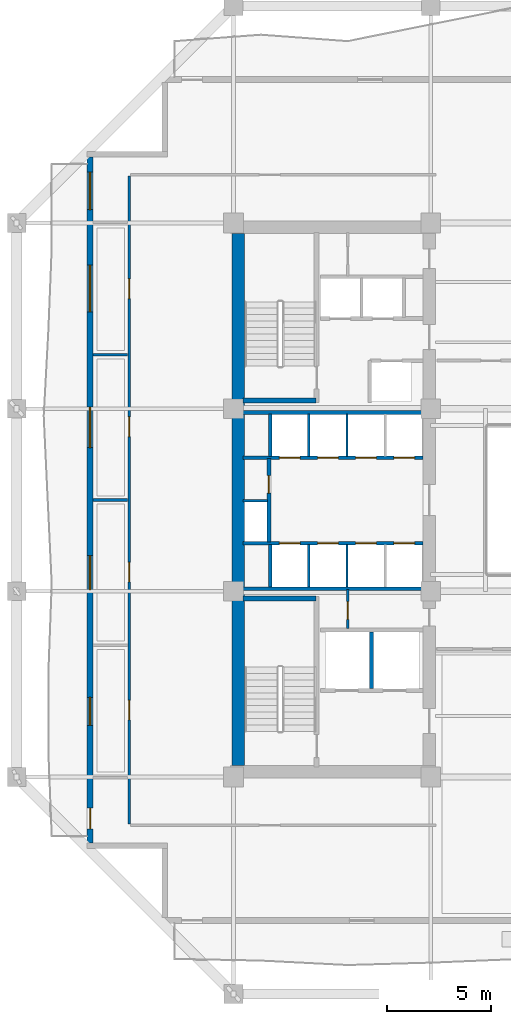
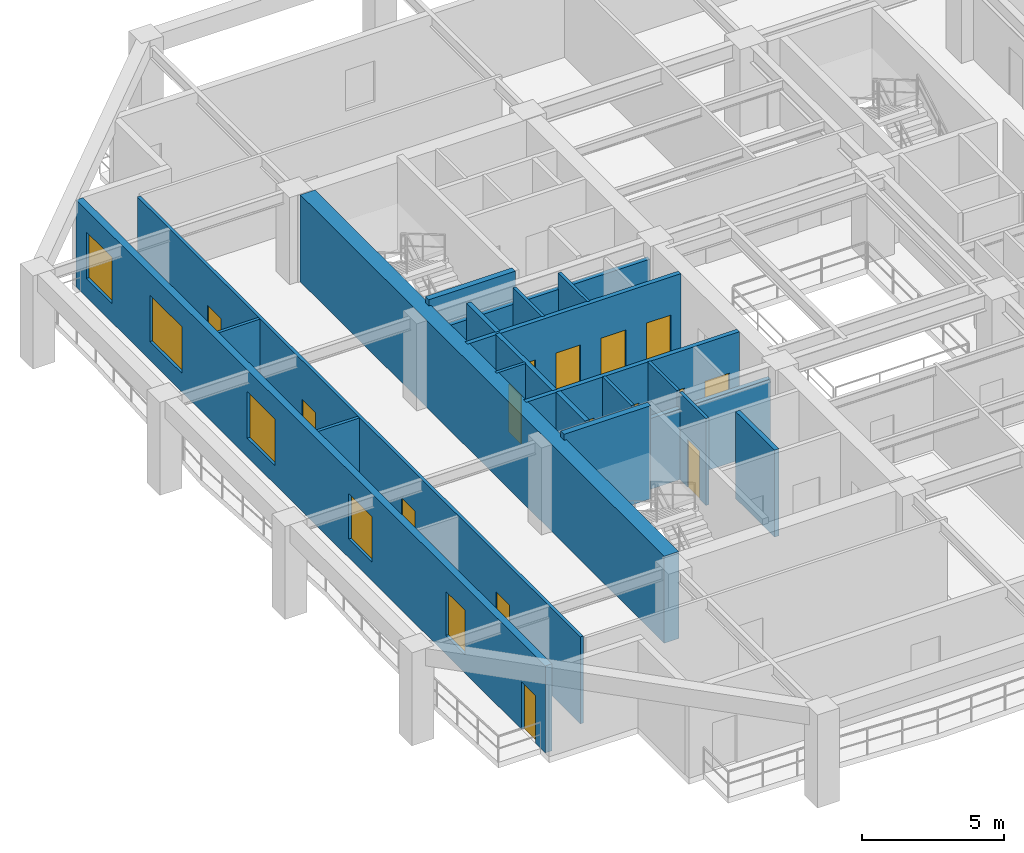
# One storey, part 3 of 11: 21 walls, 15 doors, 5 windows, 20 openings.
"""IFC4 building model written with IfcOpenShell, lengths in metres."""

from ifc_helpers import new_model, si_unit, direction, frame, frame_2d, origin, place, context, subcontext, project, spatial, rectangle, extrude, material, layer, layer_set, type_object, element, fill, save


model = new_model("IFC4")

# Units and contexts
model_context = context("Model", 3, precision=1e-05, world=origin(), true_north=direction((0.0, 1.0)))
body_context = subcontext(model_context, "Body", "Model", "MODEL_VIEW")
ifc_project = project(units=[si_unit("LENGTHUNIT", "METRE"), si_unit("AREAUNIT", "SQUARE_METRE"), si_unit("VOLUMEUNIT", "CUBIC_METRE"), si_unit("PLANEANGLEUNIT", "RADIAN"), si_unit("MASSUNIT", "GRAM", prefix="KILO")], contexts=[model_context])

# Site, building, storey
site_placement = place(None, origin())
site = spatial("IfcSite", under=ifc_project, at=site_placement, CompositionType="ELEMENT")
building_placement = place(site_placement, origin())
building = spatial("IfcBuilding", under=site, at=building_placement, Name="Kundavana Baori Tower", CompositionType="ELEMENT")
storey_placement = place(building_placement, frame((0.0, 0.0, 86.0)))
storey = spatial("IfcBuildingStorey", under=building, at=storey_placement, Name="L20", CompositionType="ELEMENT", Elevation=86.0)

# Walls
ifc_material_1 = material(Name="Concrete C50/60", Category="concrete")
ifc_layer_1 = layer(ifc_material_1, 0.39990234375, Name="WL-CORE-400")
ifc_layer_set_1 = layer_set([ifc_layer_1], Name="Concrete C50/60")
wall_type_1 = type_object("IfcWallType", Name="WL-CORE-400", PredefinedType="SHEAR", material=ifc_layer_set_1)
for number, where, z_axis, x_axis, name in (
    (1, (15.89990234375, 23.860107421875, 0.0), (0.0, 0.0, 1.0), (1.0, 0.0, 0.0), "WL-L20-ST1-N"),
    (2, (15.89990234375, 33.389892578125, 0.0), (0.0, 0.0, 1.0), (1.0, 0.0, 0.0), "WL-L20-ST2-S"),
):
    element("IfcWall", number, at=place(storey_placement, frame(where, z_axis=z_axis, x_axis=x_axis)), inside=storey, type_object=wall_type_1, Name=name, PredefinedType="SHEAR", context=body_context, shape_type="SweptSolid", body=[
        extrude(rectangle(XDim=3.52001953125, YDim=0.239990234375, at=frame_2d((1.760009765625, 0.0))), origin(), (0.0, 0.0, 1.0), 4.0),
    ])
ifc_material_2 = material(Name="Concrete C60/75", Category="concrete")
ifc_layer_2 = layer(ifc_material_2, 0.60009765625, Name="WL-CORE-600")
ifc_layer_set_2 = layer_set([ifc_layer_2], Name="Concrete C60/75")
wall_type_2 = type_object("IfcWallType", Name="WL-CORE-600", PredefinedType="SHEAR", material=ifc_layer_set_2)
wall_1_placement = place(storey_placement, frame((15.68994140625, 15.81005859375, 0.0), z_axis=(0.0, 0.0, 1.0), x_axis=(0.0, 1.0, 0.0)))
element("IfcWall", 3, at=wall_1_placement, inside=storey, type_object=wall_type_2, Name="L20 Offset Core West Shear Wall", PredefinedType="SHEAR", context=body_context, shape_type="SweptSolid", body=[
    extrude(rectangle(XDim=25.6298828125, YDim=0.60009765625, at=frame_2d((12.81494140625, 0.0))), origin(), (0.0, 0.0, 1.0), 3.739990234375),
])

# Wall, openings, door, windows
ifc_material_3 = material(Name="Red-Buff Dholpur Sandstone Cladding on Concrete C40/50", Category="masonry")
ifc_layer_3 = layer(ifc_material_3, 0.280029296875, Name="WL-EXT-SAND-280")
ifc_layer_set_3 = layer_set([ifc_layer_3], Name="Red-Buff Dholpur Sandstone Cladding on Concrete C40/50")
wall_type_3 = type_object("IfcWallType", Name="WL-EXT-SAND-280", PredefinedType="STANDARD", material=ifc_layer_set_3)
wall_2_placement = place(storey_placement, frame((8.5400390625, 45.1201171875, 0.0), z_axis=(0.0, 0.0, 1.0), x_axis=(0.0, -1.0, 0.0)))
wall_2 = element("IfcWall", 4, at=wall_2_placement, inside=storey, type_object=wall_type_3, Name="L20 Exterior Insulated Facade Wall 10", PredefinedType="STANDARD", context=body_context, shape_type="SweptSolid", body=[
    extrude(rectangle(XDim=33.0400390625, YDim=0.280029296875, at=frame_2d((16.52001953125, 0.0))), origin(), (0.0, 0.0, 1.0), 3.739990234375),
])
opening_1_placement = place(wall_2_placement, frame((31.3701171875, 0.0, 0.0)))
opening_1 = element("IfcOpeningElement", 5, at=opening_1_placement, cuts=wall_2, Name="Opening BD-1", PredefinedType="OPENING", context=body_context, shape_type="SweptSolid", body=[
    extrude(rectangle(XDim=1.0, YDim=2.050048828125, at=frame_2d((0.5, 1.02490234375))), frame((0.0, 0.14990234375, 0.0), z_axis=(0.0, -1.0, 0.0), x_axis=(1.0, 0.0, 0.0)), (0.0, 0.0, 1.0), 0.300048828125),
])
opening_2_placement = place(wall_2_placement, frame((26.034912109375, 0.0, 0.800048828125)))
opening_2 = element("IfcOpeningElement", 6, at=opening_2_placement, cuts=wall_2, Name="Opening W-07", PredefinedType="OPENING", context=body_context, shape_type="SweptSolid", body=[
    extrude(rectangle(XDim=1.35009765625, YDim=1.89990234375, at=frame_2d((0.675048828125, 0.949951171875))), frame((0.0, 0.14990234375, 0.0), z_axis=(0.0, -1.0, 0.0), x_axis=(1.0, 0.0, 0.0)), (0.0, 0.0, 1.0), 0.300048828125),
])
opening_3_placement = place(wall_2_placement, frame((19.195068359375, 0.0, 0.800048828125)))
opening_3 = element("IfcOpeningElement", 7, at=opening_3_placement, cuts=wall_2, Name="Opening W-08", PredefinedType="OPENING", context=body_context, shape_type="SweptSolid", body=[
    extrude(rectangle(XDim=1.64990234375, YDim=1.949951171875, at=frame_2d((0.824951171875, 0.97509765625))), frame((0.0, 0.14990234375, 0.0), z_axis=(0.0, -1.0, 0.0), x_axis=(1.0, 0.0, 0.0)), (0.0, 0.0, 1.0), 0.300048828125),
])
opening_4_placement = place(wall_2_placement, frame((12.044921875, 0.0, 0.800048828125)))
opening_4 = element("IfcOpeningElement", 8, at=opening_4_placement, cuts=wall_2, Name="Opening W-09", PredefinedType="OPENING", context=body_context, shape_type="SweptSolid", body=[
    extrude(rectangle(XDim=1.949951171875, YDim=2.0, at=frame_2d((0.97509765625, 1.0))), frame((0.0, 0.14990234375, 0.0), z_axis=(0.0, -1.0, 0.0), x_axis=(1.0, 0.0, 0.0)), (0.0, 0.0, 1.0), 0.300048828125),
])
opening_5_placement = place(wall_2_placement, frame((5.205078125, 0.0, 0.800048828125)))
opening_5 = element("IfcOpeningElement", 9, at=opening_5_placement, cuts=wall_2, Name="Opening W-10", PredefinedType="OPENING", context=body_context, shape_type="SweptSolid", body=[
    extrude(rectangle(XDim=2.25, YDim=2.0, at=frame_2d((1.125, 1.0))), frame((0.0, 0.14990234375, 0.0), z_axis=(0.0, -1.0, 0.0), x_axis=(1.0, 0.0, 0.0)), (0.0, 0.0, 1.0), 0.300048828125),
])
opening_6_placement = place(wall_2_placement, frame((0.72509765625, 0.0, 0.800048828125)))
opening_6 = element("IfcOpeningElement", 10, at=opening_6_placement, cuts=wall_2, Name="Opening W-01", PredefinedType="OPENING", context=body_context, shape_type="SweptSolid", body=[
    extrude(rectangle(XDim=1.800048828125, YDim=2.0, at=frame_2d((0.89990234375, 1.0))), frame((0.0, 0.14990234375, 0.0), z_axis=(0.0, -1.0, 0.0), x_axis=(1.0, 0.0, 0.0)), (0.0, 0.0, 1.0), 0.300048828125),
])
ifc_material_4 = material(Name="Architectural Patinated Bronze Metalwork")
door_type_1 = type_object("IfcDoorType", Name="DR-EXT-LOG-1000", OperationType="NOTDEFINED", PredefinedType="DOOR", material=ifc_material_4)
door_1_placement = place(opening_1_placement, frame((1.0, 0.0, 0.0), z_axis=(0.0, 0.0, 1.0), x_axis=(-1.0, 0.0, 0.0)))
door_1 = element("IfcDoor", 11, at=door_1_placement, inside=storey, type_object=door_type_1, Name="L20 Loggia Balcony Access Door W", OperationType="SINGLE_SWING_RIGHT", OverallHeight=2.050048828125, OverallWidth=1.0, PredefinedType="DOOR", context=body_context, shape_type="SweptSolid", body=[
    extrude(rectangle(XDim=1.0, YDim=2.050048828125, at=frame_2d((0.5, 1.02490234375))), frame((0.0, 0.02490234375, 0.0), z_axis=(0.0, -1.0, 0.0), x_axis=(1.0, 0.0, 0.0)), (0.0, 0.0, 1.0), 0.050048828125),
])
fill(opening_1, door_1)
ifc_material_5 = material(Name="Double-Glazed Solar-Control Low-E Insulated Glass", Category="glass")
window_type_1 = type_object("IfcWindowType", Name="WIN-LOG-1350x1900", PartitioningType="SINGLE_PANEL", PredefinedType="WINDOW", material=ifc_material_5)
window_1_placement = place(opening_2_placement, origin())
window_1 = element("IfcWindow", 12, at=window_1_placement, inside=storey, type_object=window_type_1, Name="L20 Recessed Loggia Window W-2", OverallHeight=1.89990234375, OverallWidth=1.35009765625, PartitioningType="SINGLE_PANEL", PredefinedType="WINDOW", context=body_context, shape_type="SweptSolid", body=[
    extrude(rectangle(XDim=1.35009765625, YDim=1.89990234375, at=frame_2d((0.675048828125, 0.949951171875))), frame((0.0, 0.030029296875, 0.0), z_axis=(0.0, -1.0, 0.0), x_axis=(1.0, 0.0, 0.0)), (0.0, 0.0, 1.0), 0.06005859375),
])
fill(opening_2, window_1)
ifc_material_6 = material(Name="Double-Glazed Solar-Control Low-E Insulated Glass", Category="glass")
window_type_2 = type_object("IfcWindowType", Name="WIN-LOG-1650x1950", PartitioningType="SINGLE_PANEL", PredefinedType="WINDOW", material=ifc_material_6)
window_2_placement = place(opening_3_placement, origin())
window_2 = element("IfcWindow", 13, at=window_2_placement, inside=storey, type_object=window_type_2, Name="L20 Recessed Loggia Window W-3", OverallHeight=1.949951171875, OverallWidth=1.64990234375, PartitioningType="SINGLE_PANEL", PredefinedType="WINDOW", context=body_context, shape_type="SweptSolid", body=[
    extrude(rectangle(XDim=1.64990234375, YDim=1.949951171875, at=frame_2d((0.824951171875, 0.97509765625))), frame((0.0, 0.030029296875, 0.0), z_axis=(0.0, -1.0, 0.0), x_axis=(1.0, 0.0, 0.0)), (0.0, 0.0, 1.0), 0.06005859375),
])
fill(opening_3, window_2)
ifc_material_7 = material(Name="Double-Glazed Solar-Control Low-E Insulated Glass", Category="glass")
window_type_3 = type_object("IfcWindowType", Name="WIN-LOG-1800x2000", PartitioningType="SINGLE_PANEL", PredefinedType="WINDOW", material=ifc_material_7)
window_3_placement = place(opening_6_placement, origin())
window_3 = element("IfcWindow", 14, at=window_3_placement, inside=storey, type_object=window_type_3, Name="L20 Recessed Loggia Window W-6", OverallHeight=2.0, OverallWidth=1.800048828125, PartitioningType="SINGLE_PANEL", PredefinedType="WINDOW", context=body_context, shape_type="SweptSolid", body=[
    extrude(rectangle(XDim=1.800048828125, YDim=2.0, at=frame_2d((0.89990234375, 1.0))), frame((0.0, 0.030029296875, 0.0), z_axis=(0.0, -1.0, 0.0), x_axis=(1.0, 0.0, 0.0)), (0.0, 0.0, 1.0), 0.06005859375),
])
fill(opening_6, window_3)
ifc_material_8 = material(Name="Double-Glazed Solar-Control Low-E Insulated Glass", Category="glass")
window_type_4 = type_object("IfcWindowType", Name="WIN-LOG-1950x2000", PartitioningType="SINGLE_PANEL", PredefinedType="WINDOW", material=ifc_material_8)
window_4_placement = place(opening_4_placement, origin())
window_4 = element("IfcWindow", 15, at=window_4_placement, inside=storey, type_object=window_type_4, Name="L20 Recessed Loggia Window W-4", OverallHeight=2.0, OverallWidth=1.949951171875, PartitioningType="SINGLE_PANEL", PredefinedType="WINDOW", context=body_context, shape_type="SweptSolid", body=[
    extrude(rectangle(XDim=1.949951171875, YDim=2.0, at=frame_2d((0.97509765625, 1.0))), frame((0.0, 0.030029296875, 0.0), z_axis=(0.0, -1.0, 0.0), x_axis=(1.0, 0.0, 0.0)), (0.0, 0.0, 1.0), 0.06005859375),
])
fill(opening_4, window_4)
ifc_material_9 = material(Name="Double-Glazed Solar-Control Low-E Insulated Glass", Category="glass")
window_type_5 = type_object("IfcWindowType", Name="WIN-LOG-2250x2000", PartitioningType="SINGLE_PANEL", PredefinedType="WINDOW", material=ifc_material_9)
window_5_placement = place(opening_5_placement, origin())
window_5 = element("IfcWindow", 16, at=window_5_placement, inside=storey, type_object=window_type_5, Name="L20 Recessed Loggia Window W-5", OverallHeight=2.0, OverallWidth=2.25, PartitioningType="SINGLE_PANEL", PredefinedType="WINDOW", context=body_context, shape_type="SweptSolid", body=[
    extrude(rectangle(XDim=2.25, YDim=2.0, at=frame_2d((1.125, 1.0))), frame((0.0, 0.030029296875, 0.0), z_axis=(0.0, -1.0, 0.0), x_axis=(1.0, 0.0, 0.0)), (0.0, 0.0, 1.0), 0.06005859375),
])
fill(opening_5, window_5)

# Wall, opening, door
ifc_material_10 = material(Name="Acoustic Gypsum Plasterboard on Galvanised Steel Studs", Category="steel")
ifc_layer_4 = layer(ifc_material_10, 0.1201171875, Name="WL-PART-120")
ifc_layer_set_4 = layer_set([ifc_layer_4], Name="Acoustic Gypsum Plasterboard on Galvanised Steel Studs")
wall_type_4 = type_object("IfcWallType", Name="WL-PART-120", PredefinedType="PARTITIONING", material=ifc_layer_set_4)
wall_3_placement = place(storey_placement, frame((20.949951171875, 22.39990234375, 0.0), z_axis=(0.0, 0.0, 1.0), x_axis=(0.0, 1.0, 0.0)))
wall_3 = element("IfcWall", 17, at=wall_3_placement, inside=storey, type_object=wall_type_4, Name="WL-L20-CSMK-D2", PredefinedType="PARTITIONING", context=body_context, shape_type="SweptSolid", body=[
    extrude(rectangle(XDim=1.880126953125, YDim=0.1201171875, at=frame_2d((0.93994140625, 0.0))), origin(), (0.0, 0.0, 1.0), 3.739990234375),
])
opening_7_placement = place(wall_3_placement, frame((0.449951171875, 0.0, 0.0)))
opening_7 = element("IfcOpeningElement", 18, at=opening_7_placement, cuts=wall_3, Name="Opening FD-085", PredefinedType="OPENING", context=body_context, shape_type="SweptSolid", body=[
    extrude(rectangle(XDim=0.85009765625, YDim=2.06005859375, at=frame_2d((0.425048828125, 1.030029296875))), frame((0.0, 0.070068359375, 0.0), z_axis=(0.0, -1.0, 0.0), x_axis=(1.0, 0.0, 0.0)), (0.0, 0.0, 1.0), 0.14013671875),
])
ifc_material_11 = material(Name="Galvanised Steel Fire-Rated Door Leaf", Category="steel")
door_type_2 = type_object("IfcDoorType", Name="DR-FD60-850", OperationType="NOTDEFINED", PredefinedType="DOOR", material=ifc_material_11)
door_2_placement = place(opening_7_placement, origin())
door_2 = element("IfcDoor", 19, at=door_2_placement, inside=storey, type_object=door_type_2, Name="DR-L20-CSMK1", OperationType="SINGLE_SWING_RIGHT", OverallHeight=2.06005859375, OverallWidth=0.85009765625, PredefinedType="DOOR", context=body_context, shape_type="SweptSolid", body=[
    extrude(rectangle(XDim=0.85009765625, YDim=2.06005859375, at=frame_2d((0.425048828125, 1.030029296875))), frame((0.0, 0.02490234375, 0.0), z_axis=(0.0, -1.0, 0.0), x_axis=(1.0, 0.0, 0.0)), (0.0, 0.0, 1.0), 0.050048828125),
])
fill(opening_7, door_2)

# Walls
for number, where, z_axis, x_axis, name in (
    (20, (19.080078125, 24.39990234375, 0.0), (0.0, 0.0, 1.0), (0.0, 1.0, 0.0), "WL-L20-LPLOW-D1"),
    (21, (20.919921875, 24.39990234375, 0.0), (0.0, 0.0, 1.0), (0.0, 1.0, 0.0), "WL-L20-LPLOW-D2"),
):
    element("IfcWall", number, at=place(storey_placement, frame(where, z_axis=z_axis, x_axis=x_axis)), inside=storey, type_object=wall_type_4, Name=name, PredefinedType="PARTITIONING", context=body_context, shape_type="SweptSolid", body=[
        extrude(rectangle(XDim=2.050048828125, YDim=0.1201171875, at=frame_2d((1.02490234375, 0.0))), origin(), (0.0, 0.0, 1.0), 3.739990234375),
    ])
wall_4_placement = place(storey_placement, frame((15.89990234375, 28.56005859375, 0.0), z_axis=(0.0, 0.0, 1.0), x_axis=(1.0, 0.0, 0.0)))
element("IfcWall", 22, at=wall_4_placement, inside=storey, type_object=wall_type_4, Name="WL-L20-RSRW-N", PredefinedType="PARTITIONING", context=body_context, shape_type="SweptSolid", body=[
    extrude(rectangle(XDim=1.2001953125, YDim=0.1201171875, at=frame_2d((0.60009765625, 0.0))), origin(), (0.0, 0.0, 1.0), 3.739990234375),
])
for number, where, z_axis, x_axis, name in (
    (23, (19.080078125, 30.699951171875, 0.0), (0.0, 0.0, 1.0), (0.0, 1.0, 0.0), "WL-L20-LPMID-D1"),
    (24, (20.919921875, 30.699951171875, 0.0), (0.0, 0.0, 1.0), (0.0, 1.0, 0.0), "WL-L20-LPMID-D2"),
):
    element("IfcWall", number, at=place(storey_placement, frame(where, z_axis=z_axis, x_axis=x_axis)), inside=storey, type_object=wall_type_4, Name=name, PredefinedType="PARTITIONING", context=body_context, shape_type="SweptSolid", body=[
        extrude(rectangle(XDim=2.050048828125, YDim=0.1201171875, at=frame_2d((1.02490234375, 0.0))), origin(), (0.0, 0.0, 1.0), 3.739990234375),
    ])
ifc_material_12 = material(Name="Autoclaved Aerated Concrete Blockwork Masonry", Category="masonry")
ifc_layer_5 = layer(ifc_material_12, 0.179931640625, Name="WL-SHAFT-180")
ifc_layer_set_5 = layer_set([ifc_layer_5], Name="Autoclaved Aerated Concrete Blockwork Masonry")
wall_type_5 = type_object("IfcWallType", Name="WL-SHAFT-180", PredefinedType="SOLIDWALL", material=ifc_layer_set_5)
wall_5_placement = place(storey_placement, frame((22.10009765625, 19.510009765625, 0.0), z_axis=(0.0, 0.0, 1.0), x_axis=(0.0, 1.0, 0.0)))
element("IfcWall", 25, at=wall_5_placement, inside=storey, type_object=wall_type_5, Name="WL-L20-FFL-MID", PredefinedType="SOLIDWALL", context=body_context, shape_type="SweptSolid", body=[
    extrude(rectangle(XDim=2.739990234375, YDim=0.179931640625, at=frame_2d((1.3701171875, 0.0))), origin(), (0.0, 0.0, 1.0), 3.739990234375),
])

# Wall, openings, doors
wall_6_placement = place(storey_placement, frame((15.89990234375, 26.52001953125, 0.0), z_axis=(0.0, 0.0, 1.0), x_axis=(1.0, 0.0, 0.0)))
wall_6 = element("IfcWall", 26, at=wall_6_placement, inside=storey, type_object=wall_type_5, Name="WL-L20-LPLOW-N", PredefinedType="SOLIDWALL", context=body_context, shape_type="SweptSolid", body=[
    extrude(rectangle(XDim=8.68017578125, YDim=0.179931640625, at=frame_2d((4.340087890625, 0.0))), origin(), (0.0, 0.0, 1.0), 3.739990234375),
])
opening_8_placement = place(wall_6_placement, frame((1.760009765625, 0.0, 0.0)))
opening_8 = element("IfcOpeningElement", 27, at=opening_8_placement, cuts=wall_6, Name="Opening LD-100", PredefinedType="OPENING", context=body_context, shape_type="SweptSolid", body=[
    extrude(rectangle(XDim=1.0, YDim=2.10009765625, at=frame_2d((0.5, 1.050048828125))), frame((0.0, 0.10009765625, 0.0), z_axis=(0.0, -1.0, 0.0), x_axis=(1.0, 0.0, 0.0)), (0.0, 0.0, 1.0), 0.199951171875),
])
opening_9_placement = place(wall_6_placement, frame((3.60009765625, 0.0, 0.0)))
opening_9 = element("IfcOpeningElement", 28, at=opening_9_placement, cuts=wall_6, Name="Opening LD-100", PredefinedType="OPENING", context=body_context, shape_type="SweptSolid", body=[
    extrude(rectangle(XDim=1.0, YDim=2.10009765625, at=frame_2d((0.5, 1.050048828125))), frame((0.0, 0.10009765625, 0.0), z_axis=(0.0, -1.0, 0.0), x_axis=(1.0, 0.0, 0.0)), (0.0, 0.0, 1.0), 0.199951171875),
])
opening_10_placement = place(wall_6_placement, frame((5.43994140625, 0.0, 0.0)))
opening_10 = element("IfcOpeningElement", 29, at=opening_10_placement, cuts=wall_6, Name="Opening LD-100", PredefinedType="OPENING", context=body_context, shape_type="SweptSolid", body=[
    extrude(rectangle(XDim=1.0, YDim=2.10009765625, at=frame_2d((0.5, 1.050048828125))), frame((0.0, 0.10009765625, 0.0), z_axis=(0.0, -1.0, 0.0), x_axis=(1.0, 0.0, 0.0)), (0.0, 0.0, 1.0), 0.199951171875),
])
opening_11_placement = place(wall_6_placement, frame((7.280029296875, 0.0, 0.0)))
opening_11 = element("IfcOpeningElement", 30, at=opening_11_placement, cuts=wall_6, Name="Opening LD-100", PredefinedType="OPENING", context=body_context, shape_type="SweptSolid", body=[
    extrude(rectangle(XDim=1.0, YDim=2.10009765625, at=frame_2d((0.5, 1.050048828125))), frame((0.0, 0.10009765625, 0.0), z_axis=(0.0, -1.0, 0.0), x_axis=(1.0, 0.0, 0.0)), (0.0, 0.0, 1.0), 0.199951171875),
])
ifc_material_13 = material(Name="Galvanised Steel Fire-Rated Door Leaf", Category="steel")
door_type_3 = type_object("IfcDoorType", Name="DR-SLIDE-LD1000", OperationType="NOTDEFINED", PredefinedType="DOOR", material=ifc_material_13)
door_3_placement = place(opening_8_placement, origin())
door_3 = element("IfcDoor", 31, at=door_3_placement, inside=storey, type_object=door_type_3, Name="DR-L20-LD-LP-01", OperationType="DOUBLE_DOOR_SLIDING", OverallHeight=2.10009765625, OverallWidth=1.0, PredefinedType="DOOR", context=body_context, shape_type="SweptSolid", body=[
    extrude(rectangle(XDim=1.0, YDim=2.10009765625, at=frame_2d((0.5, 1.050048828125))), frame((0.0, 0.02490234375, 0.0), z_axis=(0.0, -1.0, 0.0), x_axis=(1.0, 0.0, 0.0)), (0.0, 0.0, 1.0), 0.050048828125),
])
fill(opening_8, door_3)
door_4_placement = place(opening_9_placement, origin())
door_4 = element("IfcDoor", 32, at=door_4_placement, inside=storey, type_object=door_type_3, Name="DR-L20-LD-LP-02", OperationType="DOUBLE_DOOR_SLIDING", OverallHeight=2.10009765625, OverallWidth=1.0, PredefinedType="DOOR", context=body_context, shape_type="SweptSolid", body=[
    extrude(rectangle(XDim=1.0, YDim=2.10009765625, at=frame_2d((0.5, 1.050048828125))), frame((0.0, 0.02490234375, 0.0), z_axis=(0.0, -1.0, 0.0), x_axis=(1.0, 0.0, 0.0)), (0.0, 0.0, 1.0), 0.050048828125),
])
fill(opening_9, door_4)
door_5_placement = place(opening_10_placement, origin())
door_5 = element("IfcDoor", 33, at=door_5_placement, inside=storey, type_object=door_type_3, Name="DR-L20-LD-LP-03", OperationType="DOUBLE_DOOR_SLIDING", OverallHeight=2.10009765625, OverallWidth=1.0, PredefinedType="DOOR", context=body_context, shape_type="SweptSolid", body=[
    extrude(rectangle(XDim=1.0, YDim=2.10009765625, at=frame_2d((0.5, 1.050048828125))), frame((0.0, 0.02490234375, 0.0), z_axis=(0.0, -1.0, 0.0), x_axis=(1.0, 0.0, 0.0)), (0.0, 0.0, 1.0), 0.050048828125),
])
fill(opening_10, door_5)
door_6_placement = place(opening_11_placement, origin())
door_6 = element("IfcDoor", 34, at=door_6_placement, inside=storey, type_object=door_type_3, Name="DR-L20-LD-LP-04", OperationType="DOUBLE_DOOR_SLIDING", OverallHeight=2.10009765625, OverallWidth=1.0, PredefinedType="DOOR", context=body_context, shape_type="SweptSolid", body=[
    extrude(rectangle(XDim=1.0, YDim=2.10009765625, at=frame_2d((0.5, 1.050048828125))), frame((0.0, 0.02490234375, 0.0), z_axis=(0.0, -1.0, 0.0), x_axis=(1.0, 0.0, 0.0)), (0.0, 0.0, 1.0), 0.050048828125),
])
fill(opening_11, door_6)

# Walls
wall_7_placement = place(storey_placement, frame((15.89990234375, 24.330078125, 0.0), z_axis=(0.0, 0.0, 1.0), x_axis=(1.0, 0.0, 0.0)))
element("IfcWall", 35, at=wall_7_placement, inside=storey, type_object=wall_type_5, Name="WL-L20-LPLOW-S", PredefinedType="SOLIDWALL", context=body_context, shape_type="SweptSolid", body=[
    extrude(rectangle(XDim=8.68017578125, YDim=0.179931640625, at=frame_2d((4.340087890625, 0.0))), origin(), (0.0, 0.0, 1.0), 3.0400390625),
])
wall_8_placement = place(storey_placement, frame((17.219970703125, 24.39990234375, 0.0), z_axis=(0.0, 0.0, 1.0), x_axis=(0.0, 1.0, 0.0)))
element("IfcWall", 36, at=wall_8_placement, inside=storey, type_object=wall_type_5, Name="WL-L20-LPLOW-W", PredefinedType="SOLIDWALL", context=body_context, shape_type="SweptSolid", body=[
    extrude(rectangle(XDim=2.050048828125, YDim=0.179931640625, at=frame_2d((1.02490234375, 0.0))), origin(), (0.0, 0.0, 1.0), 3.739990234375),
])

# Wall, opening, door
wall_9_placement = place(storey_placement, frame((17.159912109375, 26.580078125, 0.0), z_axis=(0.0, 0.0, 1.0), x_axis=(0.0, 1.0, 0.0)))
wall_9 = element("IfcWall", 37, at=wall_9_placement, inside=storey, type_object=wall_type_5, Name="WL-L20-RSRW-E", PredefinedType="SOLIDWALL", context=body_context, shape_type="SweptSolid", body=[
    extrude(rectangle(XDim=4.02001953125, YDim=0.179931640625, at=frame_2d((2.010009765625, 0.0))), origin(), (0.0, 0.0, 1.0), 3.739990234375),
])
opening_12_placement = place(wall_9_placement, frame((2.35009765625, 0.0, 0.0)))
opening_12 = element("IfcOpeningElement", 38, at=opening_12_placement, cuts=wall_9, Name="Opening FD-085", PredefinedType="OPENING", context=body_context, shape_type="SweptSolid", body=[
    extrude(rectangle(XDim=0.85009765625, YDim=2.06005859375, at=frame_2d((0.425048828125, 1.030029296875))), frame((0.0, 0.10009765625, 0.0), z_axis=(0.0, -1.0, 0.0), x_axis=(1.0, 0.0, 0.0)), (0.0, 0.0, 1.0), 0.199951171875),
])
door_7_placement = place(opening_12_placement, origin())
door_7 = element("IfcDoor", 39, at=door_7_placement, inside=storey, type_object=door_type_2, Name="DR-L20-CLN", OperationType="SINGLE_SWING_RIGHT", OverallHeight=2.06005859375, OverallWidth=0.85009765625, PredefinedType="DOOR", context=body_context, shape_type="SweptSolid", body=[
    extrude(rectangle(XDim=0.85009765625, YDim=2.06005859375, at=frame_2d((0.425048828125, 1.030029296875))), frame((0.0, 0.02490234375, 0.0), z_axis=(0.0, -1.0, 0.0), x_axis=(1.0, 0.0, 0.0)), (0.0, 0.0, 1.0), 0.050048828125),
])
fill(opening_12, door_7)

# Wall, openings, doors
wall_10_placement = place(storey_placement, frame((15.89990234375, 30.639892578125, 0.0), z_axis=(0.0, 0.0, 1.0), x_axis=(1.0, 0.0, 0.0)))
wall_10 = element("IfcWall", 40, at=wall_10_placement, inside=storey, type_object=wall_type_5, Name="WL-L20-LPMID-S", PredefinedType="SOLIDWALL", context=body_context, shape_type="SweptSolid", body=[
    extrude(rectangle(XDim=8.68017578125, YDim=0.179931640625, at=frame_2d((4.340087890625, 0.0))), origin(), (0.0, 0.0, 1.0), 3.739990234375),
])
opening_13_placement = place(wall_10_placement, frame((1.760009765625, 0.0, 0.0)))
opening_13 = element("IfcOpeningElement", 41, at=opening_13_placement, cuts=wall_10, Name="Opening LD-100", PredefinedType="OPENING", context=body_context, shape_type="SweptSolid", body=[
    extrude(rectangle(XDim=1.0, YDim=2.10009765625, at=frame_2d((0.5, 1.050048828125))), frame((0.0, 0.10009765625, 0.0), z_axis=(0.0, -1.0, 0.0), x_axis=(1.0, 0.0, 0.0)), (0.0, 0.0, 1.0), 0.199951171875),
])
opening_14_placement = place(wall_10_placement, frame((3.60009765625, 0.0, 0.0)))
opening_14 = element("IfcOpeningElement", 42, at=opening_14_placement, cuts=wall_10, Name="Opening LD-100", PredefinedType="OPENING", context=body_context, shape_type="SweptSolid", body=[
    extrude(rectangle(XDim=1.0, YDim=2.10009765625, at=frame_2d((0.5, 1.050048828125))), frame((0.0, 0.10009765625, 0.0), z_axis=(0.0, -1.0, 0.0), x_axis=(1.0, 0.0, 0.0)), (0.0, 0.0, 1.0), 0.199951171875),
])
opening_15_placement = place(wall_10_placement, frame((5.43994140625, 0.0, 0.0)))
opening_15 = element("IfcOpeningElement", 43, at=opening_15_placement, cuts=wall_10, Name="Opening LD-100", PredefinedType="OPENING", context=body_context, shape_type="SweptSolid", body=[
    extrude(rectangle(XDim=1.0, YDim=2.10009765625, at=frame_2d((0.5, 1.050048828125))), frame((0.0, 0.10009765625, 0.0), z_axis=(0.0, -1.0, 0.0), x_axis=(1.0, 0.0, 0.0)), (0.0, 0.0, 1.0), 0.199951171875),
])
opening_16_placement = place(wall_10_placement, frame((7.280029296875, 0.0, 0.0)))
opening_16 = element("IfcOpeningElement", 44, at=opening_16_placement, cuts=wall_10, Name="Opening LD-100", PredefinedType="OPENING", context=body_context, shape_type="SweptSolid", body=[
    extrude(rectangle(XDim=1.0, YDim=2.10009765625, at=frame_2d((0.5, 1.050048828125))), frame((0.0, 0.10009765625, 0.0), z_axis=(0.0, -1.0, 0.0), x_axis=(1.0, 0.0, 0.0)), (0.0, 0.0, 1.0), 0.199951171875),
])
door_8_placement = place(opening_13_placement, frame((1.0, 0.0, 0.0), z_axis=(0.0, 0.0, 1.0), x_axis=(-1.0, 0.0, 0.0)))
door_8 = element("IfcDoor", 45, at=door_8_placement, inside=storey, type_object=door_type_3, Name="DR-L20-LD-LP-05", OperationType="DOUBLE_DOOR_SLIDING", OverallHeight=2.10009765625, OverallWidth=1.0, PredefinedType="DOOR", context=body_context, shape_type="SweptSolid", body=[
    extrude(rectangle(XDim=1.0, YDim=2.10009765625, at=frame_2d((0.5, 1.050048828125))), frame((0.0, 0.02490234375, 0.0), z_axis=(0.0, -1.0, 0.0), x_axis=(1.0, 0.0, 0.0)), (0.0, 0.0, 1.0), 0.050048828125),
])
fill(opening_13, door_8)
door_9_placement = place(opening_14_placement, frame((1.0, 0.0, 0.0), z_axis=(0.0, 0.0, 1.0), x_axis=(-1.0, 0.0, 0.0)))
door_9 = element("IfcDoor", 46, at=door_9_placement, inside=storey, type_object=door_type_3, Name="DR-L20-LD-LP-06", OperationType="DOUBLE_DOOR_SLIDING", OverallHeight=2.10009765625, OverallWidth=1.0, PredefinedType="DOOR", context=body_context, shape_type="SweptSolid", body=[
    extrude(rectangle(XDim=1.0, YDim=2.10009765625, at=frame_2d((0.5, 1.050048828125))), frame((0.0, 0.02490234375, 0.0), z_axis=(0.0, -1.0, 0.0), x_axis=(1.0, 0.0, 0.0)), (0.0, 0.0, 1.0), 0.050048828125),
])
fill(opening_14, door_9)
door_10_placement = place(opening_15_placement, frame((1.0, 0.0, 0.0), z_axis=(0.0, 0.0, 1.0), x_axis=(-1.0, 0.0, 0.0)))
door_10 = element("IfcDoor", 47, at=door_10_placement, inside=storey, type_object=door_type_3, Name="DR-L20-LD-LP-07", OperationType="DOUBLE_DOOR_SLIDING", OverallHeight=2.10009765625, OverallWidth=1.0, PredefinedType="DOOR", context=body_context, shape_type="SweptSolid", body=[
    extrude(rectangle(XDim=1.0, YDim=2.10009765625, at=frame_2d((0.5, 1.050048828125))), frame((0.0, 0.02490234375, 0.0), z_axis=(0.0, -1.0, 0.0), x_axis=(1.0, 0.0, 0.0)), (0.0, 0.0, 1.0), 0.050048828125),
])
fill(opening_15, door_10)
door_11_placement = place(opening_16_placement, frame((1.0, 0.0, 0.0), z_axis=(0.0, 0.0, 1.0), x_axis=(-1.0, 0.0, 0.0)))
door_11 = element("IfcDoor", 48, at=door_11_placement, inside=storey, type_object=door_type_3, Name="DR-L20-LD-LP-08", OperationType="DOUBLE_DOOR_SLIDING", OverallHeight=2.10009765625, OverallWidth=1.0, PredefinedType="DOOR", context=body_context, shape_type="SweptSolid", body=[
    extrude(rectangle(XDim=1.0, YDim=2.10009765625, at=frame_2d((0.5, 1.050048828125))), frame((0.0, 0.02490234375, 0.0), z_axis=(0.0, -1.0, 0.0), x_axis=(1.0, 0.0, 0.0)), (0.0, 0.0, 1.0), 0.050048828125),
])
fill(opening_16, door_11)

# Walls
wall_11_placement = place(storey_placement, frame((15.89990234375, 32.820068359375, 0.0), z_axis=(0.0, 0.0, 1.0), x_axis=(1.0, 0.0, 0.0)))
element("IfcWall", 49, at=wall_11_placement, inside=storey, type_object=wall_type_5, Name="WL-L20-LPMID-N", PredefinedType="SOLIDWALL", context=body_context, shape_type="SweptSolid", body=[
    extrude(rectangle(XDim=8.68017578125, YDim=0.179931640625, at=frame_2d((4.340087890625, 0.0))), origin(), (0.0, 0.0, 1.0), 3.0400390625),
])
wall_12_placement = place(storey_placement, frame((17.219970703125, 30.699951171875, 0.0), z_axis=(0.0, 0.0, 1.0), x_axis=(0.0, 1.0, 0.0)))
element("IfcWall", 50, at=wall_12_placement, inside=storey, type_object=wall_type_5, Name="WL-L20-LPMID-W", PredefinedType="SOLIDWALL", context=body_context, shape_type="SweptSolid", body=[
    extrude(rectangle(XDim=2.050048828125, YDim=0.179931640625, at=frame_2d((1.02490234375, 0.0))), origin(), (0.0, 0.0, 1.0), 3.739990234375),
])

# Wall, openings, doors
ifc_material_14 = material(Name="Autoclaved Aerated Concrete Blockwork Masonry", Category="masonry")
ifc_layer_6 = layer(ifc_material_14, 0.125, Name="WL-WET-120")
ifc_layer_set_6 = layer_set([ifc_layer_6], Name="Autoclaved Aerated Concrete Blockwork Masonry")
wall_type_6 = type_object("IfcWallType", Name="WL-WET-120", PredefinedType="PLUMBINGWALL", material=ifc_layer_set_6)
wall_13_placement = place(storey_placement, frame((10.419921875, 13.0, 0.0), z_axis=(0.0, 0.0, 1.0), x_axis=(0.0, 1.0, 0.0)))
wall_13 = element("IfcWall", 51, at=wall_13_placement, inside=storey, type_object=wall_type_6, Name="WL-L20-OW", PredefinedType="PLUMBINGWALL", context=body_context, shape_type="SweptSolid", body=[
    extrude(rectangle(XDim=31.199951171875, YDim=0.125, at=frame_2d((15.60009765625, 0.0))), origin(), (0.0, 0.0, 1.0), 3.739990234375),
])
opening_17_placement = place(wall_13_placement, frame((5.0, 0.0, 0.0)))
opening_17 = element("IfcOpeningElement", 52, at=opening_17_placement, cuts=wall_13, Name="Opening ID-095", PredefinedType="OPENING", context=body_context, shape_type="SweptSolid", body=[
    extrude(rectangle(XDim=0.949951171875, YDim=2.080078125, at=frame_2d((0.47509765625, 1.0400390625))), frame((0.0, 0.072509765625, 0.0), z_axis=(0.0, -1.0, 0.0), x_axis=(1.0, 0.0, 0.0)), (0.0, 0.0, 1.0), 0.14501953125),
])
opening_18_placement = place(wall_13_placement, frame((11.64990234375, 0.0, 0.0)))
opening_18 = element("IfcOpeningElement", 53, at=opening_18_placement, cuts=wall_13, Name="Opening ID-095", PredefinedType="OPENING", context=body_context, shape_type="SweptSolid", body=[
    extrude(rectangle(XDim=0.949951171875, YDim=2.080078125, at=frame_2d((0.47509765625, 1.0400390625))), frame((0.0, 0.072509765625, 0.0), z_axis=(0.0, -1.0, 0.0), x_axis=(1.0, 0.0, 0.0)), (0.0, 0.0, 1.0), 0.14501953125),
])
opening_19_placement = place(wall_13_placement, frame((18.64990234375, 0.0, 0.0)))
opening_19 = element("IfcOpeningElement", 54, at=opening_19_placement, cuts=wall_13, Name="Opening ID-095", PredefinedType="OPENING", context=body_context, shape_type="SweptSolid", body=[
    extrude(rectangle(XDim=0.949951171875, YDim=2.080078125, at=frame_2d((0.47509765625, 1.0400390625))), frame((0.0, 0.072509765625, 0.0), z_axis=(0.0, -1.0, 0.0), x_axis=(1.0, 0.0, 0.0)), (0.0, 0.0, 1.0), 0.14501953125),
])
opening_20_placement = place(wall_13_placement, frame((25.300048828125, 0.0, 0.0)))
opening_20 = element("IfcOpeningElement", 55, at=opening_20_placement, cuts=wall_13, Name="Opening ID-095", PredefinedType="OPENING", context=body_context, shape_type="SweptSolid", body=[
    extrude(rectangle(XDim=0.949951171875, YDim=2.080078125, at=frame_2d((0.47509765625, 1.0400390625))), frame((0.0, 0.072509765625, 0.0), z_axis=(0.0, -1.0, 0.0), x_axis=(1.0, 0.0, 0.0)), (0.0, 0.0, 1.0), 0.14501953125),
])
ifc_material_15 = material(Name="Engineered Teak Solid-Core Timber Veneer", Category="wood")
door_type_4 = type_object("IfcDoorType", Name="DR-INT-950", OperationType="NOTDEFINED", PredefinedType="DOOR", material=ifc_material_15)
door_12_placement = place(opening_17_placement, frame((0.949951171875, 0.0, 0.0), z_axis=(0.0, 0.0, 1.0), x_axis=(-1.0, 0.0, 0.0)))
door_12 = element("IfcDoor", 56, at=door_12_placement, inside=storey, type_object=door_type_4, Name="DR-L20-OFW1", OperationType="SINGLE_SWING_LEFT", OverallHeight=2.080078125, OverallWidth=0.949951171875, PredefinedType="DOOR", context=body_context, shape_type="SweptSolid", body=[
    extrude(rectangle(XDim=0.949951171875, YDim=2.080078125, at=frame_2d((0.47509765625, 1.0400390625))), frame((0.0, 0.02490234375, 0.0), z_axis=(0.0, -1.0, 0.0), x_axis=(1.0, 0.0, 0.0)), (0.0, 0.0, 1.0), 0.050048828125),
])
fill(opening_17, door_12)
door_13_placement = place(opening_18_placement, frame((0.949951171875, 0.0, 0.0), z_axis=(0.0, 0.0, 1.0), x_axis=(-1.0, 0.0, 0.0)))
door_13 = element("IfcDoor", 57, at=door_13_placement, inside=storey, type_object=door_type_4, Name="DR-L20-OFW2", OperationType="SINGLE_SWING_RIGHT", OverallHeight=2.080078125, OverallWidth=0.949951171875, PredefinedType="DOOR", context=body_context, shape_type="SweptSolid", body=[
    extrude(rectangle(XDim=0.949951171875, YDim=2.080078125, at=frame_2d((0.47509765625, 1.0400390625))), frame((0.0, 0.02490234375, 0.0), z_axis=(0.0, -1.0, 0.0), x_axis=(1.0, 0.0, 0.0)), (0.0, 0.0, 1.0), 0.050048828125),
])
fill(opening_18, door_13)
door_14_placement = place(opening_19_placement, frame((0.949951171875, 0.0, 0.0), z_axis=(0.0, 0.0, 1.0), x_axis=(-1.0, 0.0, 0.0)))
door_14 = element("IfcDoor", 58, at=door_14_placement, inside=storey, type_object=door_type_4, Name="DR-L20-OFW3", OperationType="SINGLE_SWING_LEFT", OverallHeight=2.080078125, OverallWidth=0.949951171875, PredefinedType="DOOR", context=body_context, shape_type="SweptSolid", body=[
    extrude(rectangle(XDim=0.949951171875, YDim=2.080078125, at=frame_2d((0.47509765625, 1.0400390625))), frame((0.0, 0.02490234375, 0.0), z_axis=(0.0, -1.0, 0.0), x_axis=(1.0, 0.0, 0.0)), (0.0, 0.0, 1.0), 0.050048828125),
])
fill(opening_19, door_14)
door_15_placement = place(opening_20_placement, frame((0.949951171875, 0.0, 0.0), z_axis=(0.0, 0.0, 1.0), x_axis=(-1.0, 0.0, 0.0)))
door_15 = element("IfcDoor", 59, at=door_15_placement, inside=storey, type_object=door_type_4, Name="DR-L20-OFW4", OperationType="SINGLE_SWING_RIGHT", OverallHeight=2.080078125, OverallWidth=0.949951171875, PredefinedType="DOOR", context=body_context, shape_type="SweptSolid", body=[
    extrude(rectangle(XDim=0.949951171875, YDim=2.080078125, at=frame_2d((0.47509765625, 1.0400390625))), frame((0.0, 0.02490234375, 0.0), z_axis=(0.0, -1.0, 0.0), x_axis=(1.0, 0.0, 0.0)), (0.0, 0.0, 1.0), 0.050048828125),
])
fill(opening_20, door_15)

# Walls
for number, where, z_axis, x_axis, name in (
    (60, (8.679931640625, 28.60009765625, 0.0), (0.0, 0.0, 1.0), (1.0, 0.0, 0.0), "WL-L20-WD2"),
    (61, (8.679931640625, 35.60009765625, 0.0), (0.0, 0.0, 1.0), (1.0, 0.0, 0.0), "WL-L20-WD3"),
):
    element("IfcWall", number, at=place(storey_placement, frame(where, z_axis=z_axis, x_axis=x_axis)), inside=storey, type_object=wall_type_6, Name=name, PredefinedType="PLUMBINGWALL", context=body_context, shape_type="SweptSolid", body=[
        extrude(rectangle(XDim=1.66015625, YDim=0.125, at=frame_2d((0.830078125, 0.0))), origin(), (0.0, 0.0, 1.0), 3.739990234375),
    ])

save(model, "model.ifc")
